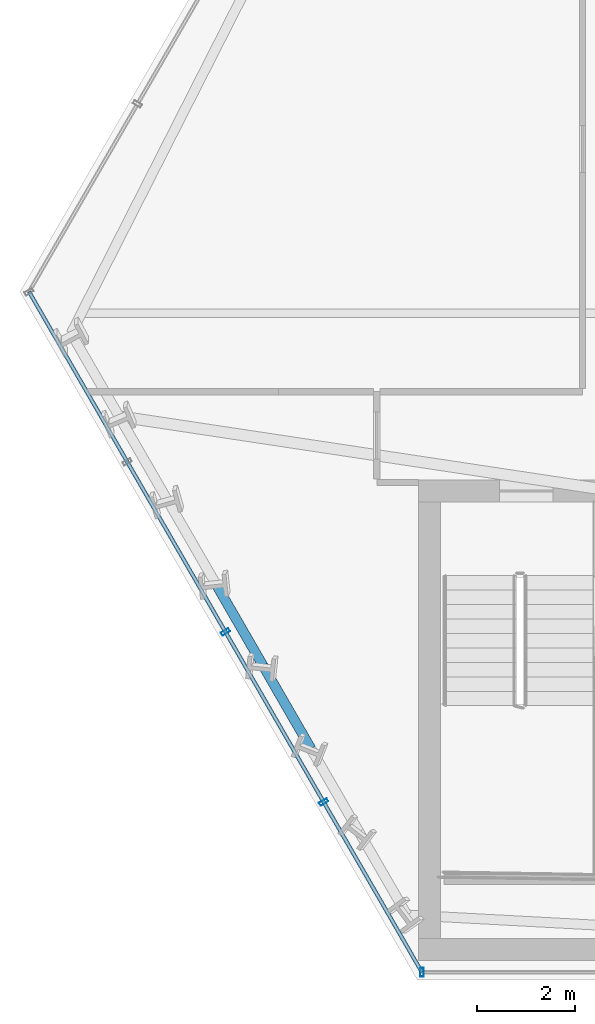
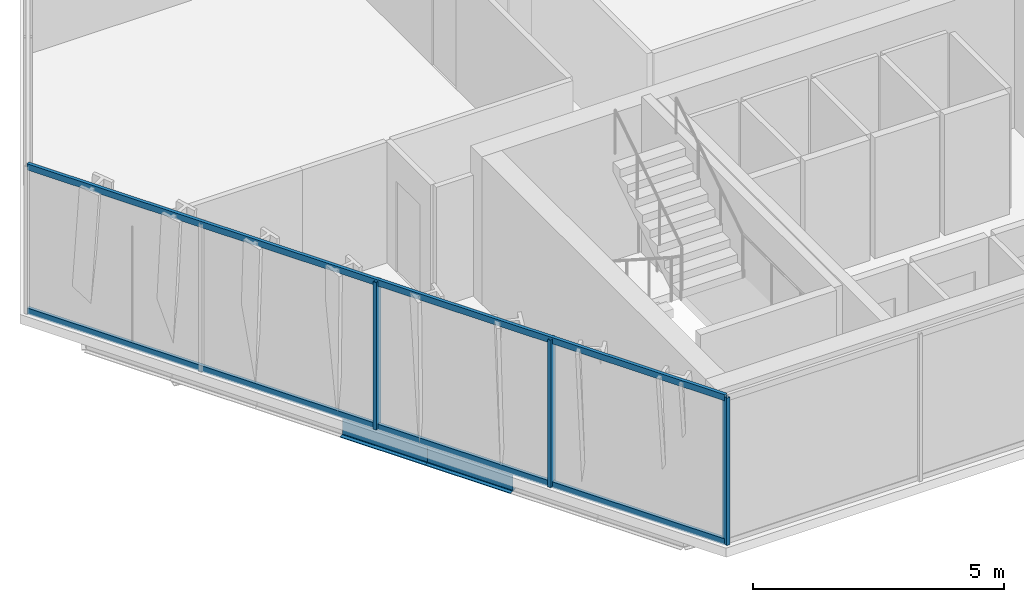
# One storey, part 2 of 32: 5 members, 2 beams, 2 elements without a shape of their own.
"""IFC4 building model written with IfcOpenShell, lengths in metres."""

from ifc_helpers import new_model, si_unit, direction, frame, origin, origin_2d, place, context, subcontext, project, spatial, hollow_rectangle, i_section, extrude, material, layer, layer_set, material_profile, profile_set, type_object, element, aggregate, save


model = new_model("IFC4")

# Units and contexts
model_context = context("Model", 3, precision=1e-05, world=origin(), true_north=direction((0.0, 1.0)))
body_context = subcontext(model_context, "Body", "Model", "MODEL_VIEW")
ifc_project = project(units=[si_unit("LENGTHUNIT", "METRE"), si_unit("AREAUNIT", "SQUARE_METRE"), si_unit("VOLUMEUNIT", "CUBIC_METRE"), si_unit("PLANEANGLEUNIT", "RADIAN"), si_unit("MASSUNIT", "GRAM", prefix="KILO")], contexts=[model_context])

# Site, building, storey
site_placement = place(None, origin())
site = spatial("IfcSite", under=ifc_project, at=site_placement, CompositionType="ELEMENT")
building_placement = place(site_placement, origin())
building = spatial("IfcBuilding", under=site, at=building_placement, Name="Ndaravel Arena Tower", CompositionType="ELEMENT")
storey_placement = place(building_placement, frame((0.0, 0.0, 55.0)))
storey = spatial("IfcBuildingStorey", under=building, at=storey_placement, Name="L11", CompositionType="ELEMENT", Elevation=55.0)

# Beams
ifc_material_1 = material(Name="Steel S355", Category="steel")
ifc_material_profile_1 = material_profile(ifc_material_1, i_section(OverallWidth=0.199951171875, OverallDepth=0.5, WebThickness=0.01025390625, FlangeThickness=0.01611328125, FilletRadius=0.02099609375, at=origin_2d()), Name="IPE 500")
ifc_profile_set_1 = profile_set([ifc_material_profile_1], Name="Steel S355")
beam_type = type_object("IfcBeamType", Name="BM-SPAN-IPE500", PredefinedType="SPANDREL", material=ifc_profile_set_1)
beam_1_placement = place(storey_placement, frame((22.30126953125, 13.107177734375, -0.469970703125), z_axis=(0.500003221507, -0.866023543838, 0.0), x_axis=(0.866023543838, 0.500003221507, 0.0)))
element("IfcBeam", 1, at=beam_1_placement, inside=storey, type_object=beam_type, Name="L11 Perimeter Spandrel Beam SP-23", PredefinedType="SPANDREL", context=body_context, shape_type="SweptSolid", body=[
    extrude(i_section(OverallWidth=0.199951171875, OverallDepth=0.5, WebThickness=0.01025390625, FlangeThickness=0.01611328125, FilletRadius=0.02099609375, at=origin_2d()), origin(), (0.0, 0.0, 1.0), 1.95703125),
])
beam_2_placement = place(storey_placement, frame((23.27978515625, 11.412353515625, -0.469970703125), z_axis=(0.49994920724, -0.866054727012, 0.0), x_axis=(0.866054727012, 0.49994920724, 0.0)))
element("IfcBeam", 2, at=beam_2_placement, inside=storey, type_object=beam_type, Name="L11 Perimeter Spandrel Beam SP-24", PredefinedType="SPANDREL", context=body_context, shape_type="SweptSolid", body=[
    extrude(i_section(OverallWidth=0.199951171875, OverallDepth=0.5, WebThickness=0.01025390625, FlangeThickness=0.01611328125, FilletRadius=0.02099609375, at=origin_2d()), origin(), (0.0, 0.0, 1.0), 1.957275390625),
])

# Curtain wall, member
ifc_material_2 = material(Name="Aluminium", Category="aluminium")
ifc_layer_1 = layer(ifc_material_2, 0.179931640625)
ifc_layer_set_1 = layer_set([ifc_layer_1], Name="Aluminium")
curtain_wall_type_1 = type_object("IfcCurtainWallType", Name="CW-SYS-03", PredefinedType="NOTDEFINED", material=ifc_layer_set_1)
curtain_wall_1_placement = place(storey_placement, origin())
curtain_wall_1 = element("IfcCurtainWall", 3, at=curtain_wall_1_placement, inside=storey, type_object=curtain_wall_type_1, Name="L11 Faceted Crystal Curtain Wall CW-L11-E01", PredefinedType="NOTDEFINED")
ifc_material_3 = material(Name="Aluminium", Category="aluminium")
ifc_material_profile_2 = material_profile(ifc_material_3, hollow_rectangle(XDim=0.074951171875, YDim=0.179931640625, WallThickness=0.00390625, at=origin_2d()), Name="CW MULLION 75x180x4")
ifc_profile_set_2 = profile_set([ifc_material_profile_2], Name="Aluminium")
member_type_1 = type_object("IfcMemberType", Name="MEM-CW-MUL180", PredefinedType="MULLION", material=ifc_profile_set_2)
member_1_placement = place(storey_placement, frame((26.52001953125, 5.159912109375, 0.0), z_axis=(0.0, 0.0, 1.0), x_axis=(1.0, 0.0, 0.0)))
member_1 = element("IfcMember", 4, at=member_1_placement, type_object=member_type_1, Name="CW-L11-E01 Mullion 00", PredefinedType="MULLION", context=body_context, shape_type="SweptSolid", body=[
    extrude(hollow_rectangle(XDim=0.074951171875, YDim=0.179931640625, WallThickness=0.00390625, at=origin_2d()), origin(), (0.0, 0.0, 1.0), 3.580078125),
])
aggregate(curtain_wall_1, [member_1])

# Curtain wall, members
ifc_material_4 = material(Name="Aluminium", Category="aluminium")
ifc_layer_2 = layer(ifc_material_4, 0.179931640625)
ifc_layer_set_2 = layer_set([ifc_layer_2], Name="Aluminium")
curtain_wall_type_2 = type_object("IfcCurtainWallType", Name="CW-SYS-02", PredefinedType="NOTDEFINED", material=ifc_layer_set_2)
curtain_wall_2_placement = place(storey_placement, origin())
curtain_wall_2 = element("IfcCurtainWall", 5, at=curtain_wall_2_placement, inside=storey, type_object=curtain_wall_type_2, Name="L11 Faceted Crystal Curtain Wall CW-L11-E06", PredefinedType="NOTDEFINED")
member_2_placement = place(storey_placement, frame((22.513427734375, 12.099853515625, 0.0), z_axis=(0.0, 0.0, 1.0), x_axis=(0.5, -0.866025403784, 0.0)))
member_2 = element("IfcMember", 6, at=member_2_placement, type_object=member_type_1, Name="CW-L11-E06 Mullion 02", PredefinedType="MULLION", context=body_context, shape_type="SweptSolid", body=[
    extrude(hollow_rectangle(XDim=0.074951171875, YDim=0.179931640625, WallThickness=0.00390625, at=origin_2d()), origin(), (0.0, 0.0, 1.0), 3.580078125),
])
member_3_placement = place(storey_placement, frame((24.516845703125, 8.6298828125, 0.0), z_axis=(0.0, 0.0, 1.0), x_axis=(0.5, -0.866025403784, 0.0)))
member_3 = element("IfcMember", 7, at=member_3_placement, type_object=member_type_1, Name="CW-L11-E06 Mullion 03", PredefinedType="MULLION", context=body_context, shape_type="SweptSolid", body=[
    extrude(hollow_rectangle(XDim=0.074951171875, YDim=0.179931640625, WallThickness=0.00390625, at=origin_2d()), origin(), (0.0, 0.0, 1.0), 3.580078125),
])
ifc_material_5 = material(Name="Aluminium", Category="aluminium")
ifc_material_profile_3 = material_profile(ifc_material_5, hollow_rectangle(XDim=0.074951171875, YDim=0.14990234375, WallThickness=0.00390625, at=origin_2d()), Name="CW TRANSOM 75x150x4")
ifc_profile_set_3 = profile_set([ifc_material_profile_3], Name="Aluminium")
member_type_2 = type_object("IfcMemberType", Name="MEM-CW-TRN150", PredefinedType="USERDEFINED", material=ifc_profile_set_3)
member_4_placement = place(storey_placement, frame((18.5068359375, 19.03955078125, 0.0400390625), z_axis=(0.499989258689, -0.866031605195, 0.0), x_axis=(0.866031605195, 0.499989258689, 0.0)))
member_4 = element("IfcMember", 8, at=member_4_placement, type_object=member_type_2, Name="CW-L11-E06 Transom 01", ObjectType="TRANSOM", PredefinedType="USERDEFINED", context=body_context, shape_type="SweptSolid", body=[
    extrude(hollow_rectangle(XDim=0.074951171875, YDim=0.14990234375, WallThickness=0.00390625, at=origin_2d()), origin(), (0.0, 0.0, 1.0), 16.026611328125),
])
member_5_placement = place(storey_placement, frame((18.5068359375, 19.03955078125, 3.5400390625), z_axis=(0.499989258689, -0.866031605195, 0.0), x_axis=(0.866031605195, 0.499989258689, 0.0)))
member_5 = element("IfcMember", 9, at=member_5_placement, type_object=member_type_2, Name="CW-L11-E06 Transom 02", ObjectType="TRANSOM", PredefinedType="USERDEFINED", context=body_context, shape_type="SweptSolid", body=[
    extrude(hollow_rectangle(XDim=0.074951171875, YDim=0.14990234375, WallThickness=0.00390625, at=origin_2d()), origin(), (0.0, 0.0, 1.0), 16.026611328125),
])
aggregate(curtain_wall_2, [member_2, member_3, member_4, member_5])

save(model, "model.ifc")
